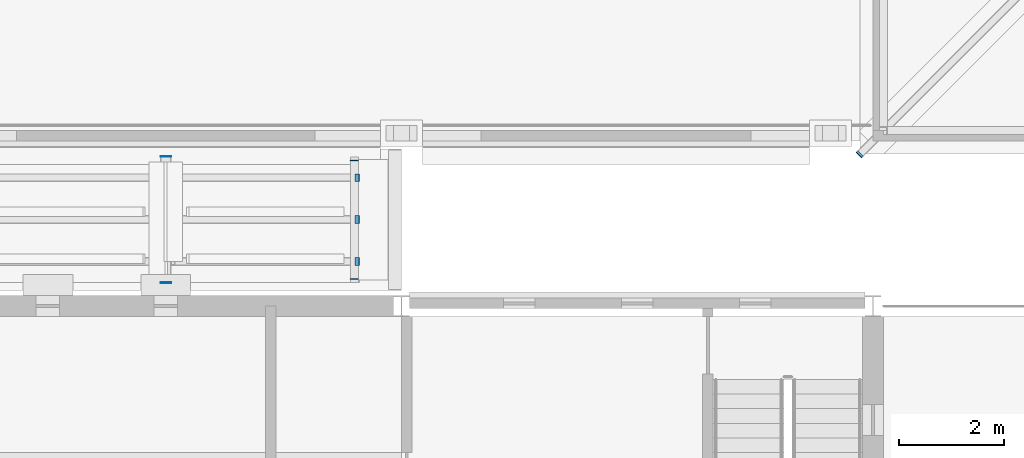
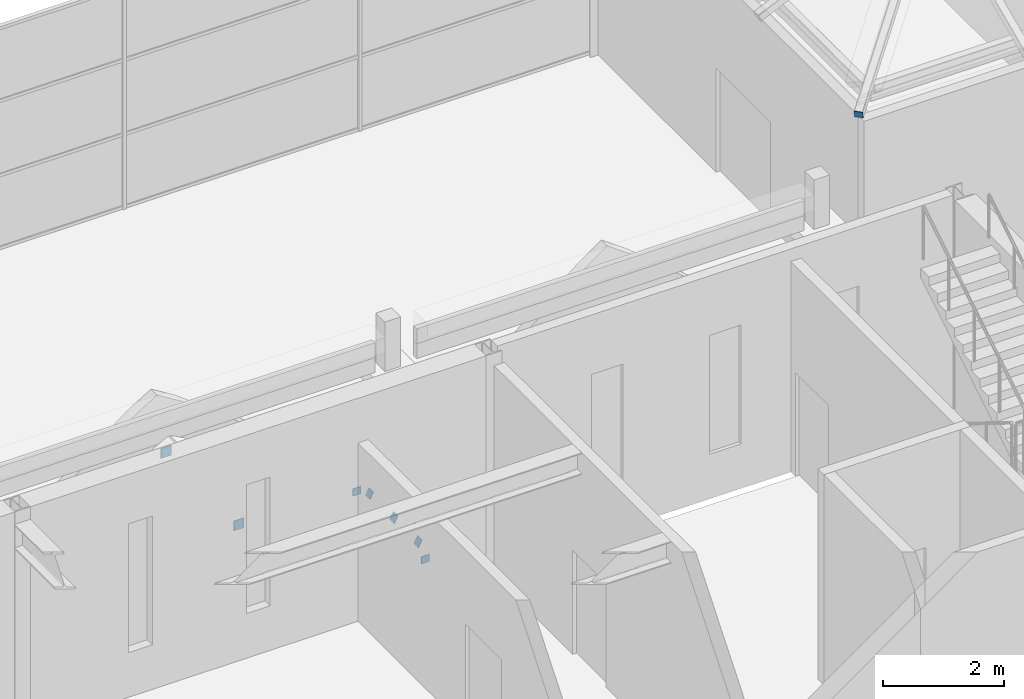
# One storey, part 110 of 149: 8 discrete accessories.
"""IFC4 building model written with IfcOpenShell, lengths in metres."""

from ifc_helpers import new_model, si_unit, direction, frame, origin, origin_2d, place, context, subcontext, project, spatial, rectangle, extrude, material, material_profile, profile_set, type_object, element, save


model = new_model("IFC4")

# Units and contexts
model_context = context("Model", 3, precision=1e-05, world=origin(), true_north=direction((0.0, 1.0)))
body_context = subcontext(model_context, "Body", "Model", "MODEL_VIEW")
ifc_project = project(units=[si_unit("LENGTHUNIT", "METRE"), si_unit("AREAUNIT", "SQUARE_METRE"), si_unit("VOLUMEUNIT", "CUBIC_METRE"), si_unit("PLANEANGLEUNIT", "RADIAN"), si_unit("MASSUNIT", "GRAM", prefix="KILO")], contexts=[model_context])

# Site, building, storey
site_placement = place(None, origin())
site = spatial("IfcSite", under=ifc_project, at=site_placement, CompositionType="ELEMENT")
building_placement = place(site_placement, origin())
building = spatial("IfcBuilding", under=site, at=building_placement, Name="Kallimachos Central Library", CompositionType="ELEMENT")
storey_placement = place(building_placement, frame((0.0, 0.0, 9.89990234375)))
storey = spatial("IfcBuildingStorey", under=building, at=storey_placement, Name="L02", CompositionType="ELEMENT", Elevation=9.89990234375)

# Discrete accessories
ifc_material_1 = material(Name="Steel S355J2", Category="steel")
ifc_material_profile_1 = material_profile(ifc_material_1, rectangle(XDim=0.14990234375, YDim=0.14990234375, at=origin_2d()), Name="End cap plate 10, 150x150")
ifc_profile_set_1 = profile_set([ifc_material_profile_1], Name="Steel S355J2")
discrete_accessory_type_1 = type_object("IfcDiscreteAccessoryType", Name="End cap plate 10, 150x150", PredefinedType="BRACKET", material=ifc_profile_set_1)
for number, where, z_axis, x_axis, name in (
    (1, (101.2431640625, 47.7431640625, 4.378662109375), (0.676715542332, 0.676715542332, 0.290020946714), (-0.707106781187, 0.707106781187, 0.0), "End cap plate"),
    (2, (91.60009765625, 45.364990234375, 0.22509765625), (0.0, 1.0, 0.0), (-1.0, 0.0, 0.0), "End cap plate"),
    (3, (91.60009765625, 47.625, 0.22509765625), (0.0, 1.0, 0.0), (-1.0, 0.0, 0.0), "End cap plate"),
):
    element("IfcDiscreteAccessory", number, at=place(storey_placement, frame(where, z_axis=z_axis, x_axis=x_axis)), inside=storey, type_object=discrete_accessory_type_1, Name=name, PredefinedType="BRACKET", context=body_context, shape_type="SweptSolid", body=[
        extrude(rectangle(XDim=0.14990234375, YDim=0.14990234375, at=origin_2d()), origin(), (0.0, 0.0, 1.0), 0.010009765625),
    ])
for number, where, z_axis, x_axis, name in (
    (4, (91.658935546875, 45.699951171875, 0.353759765625), (-0.889567018144, 0.0, 0.456804684993), (0.0, -1.0, 0.0), "End cap plate"),
    (5, (91.658935546875, 46.5, 0.353759765625), (-0.889567018144, 0.0, 0.456804684993), (0.0, -1.0, 0.0), "End cap plate"),
    (6, (91.658935546875, 47.300048828125, 0.353759765625), (-0.889567018144, 0.0, 0.456804684993), (0.0, -1.0, 0.0), "End cap plate"),
):
    element("IfcDiscreteAccessory", number, at=place(storey_placement, frame(where, z_axis=z_axis, x_axis=x_axis)), inside=storey, type_object=discrete_accessory_type_1, Name=name, PredefinedType="BRACKET", context=body_context, shape_type="SweptSolid", body=[
        extrude(rectangle(XDim=0.14990234375, YDim=0.14990234375, at=origin_2d()), origin(), (0.0, 0.0, 1.0), 0.01025390625),
    ])
ifc_material_2 = material(Name="Steel S355J2", Category="steel")
ifc_material_profile_2 = material_profile(ifc_material_2, rectangle(XDim=0.199951171875, YDim=0.199951171875, at=origin_2d()), Name="End cap plate 10, 200x200")
ifc_profile_set_2 = profile_set([ifc_material_profile_2], Name="Steel S355J2")
discrete_accessory_type_2 = type_object("IfcDiscreteAccessoryType", Name="End cap plate 10, 200x200", PredefinedType="BRACKET", material=ifc_profile_set_2)
for number, where, z_axis, x_axis, name in (
    (7, (88.0, 45.2900390625, 2.234130859375), (0.0, 1.0, 0.0), (-1.0, 0.0, 0.0), "End cap plate"),
    (8, (88.0, 47.699951171875, 2.234130859375), (0.0, 1.0, 0.0), (-1.0, 0.0, 0.0), "End cap plate"),
):
    element("IfcDiscreteAccessory", number, at=place(storey_placement, frame(where, z_axis=z_axis, x_axis=x_axis)), inside=storey, type_object=discrete_accessory_type_2, Name=name, PredefinedType="BRACKET", context=body_context, shape_type="SweptSolid", body=[
        extrude(rectangle(XDim=0.199951171875, YDim=0.199951171875, at=origin_2d()), origin(), (0.0, 0.0, 1.0), 0.010009765625),
    ])

save(model, "model.ifc")
